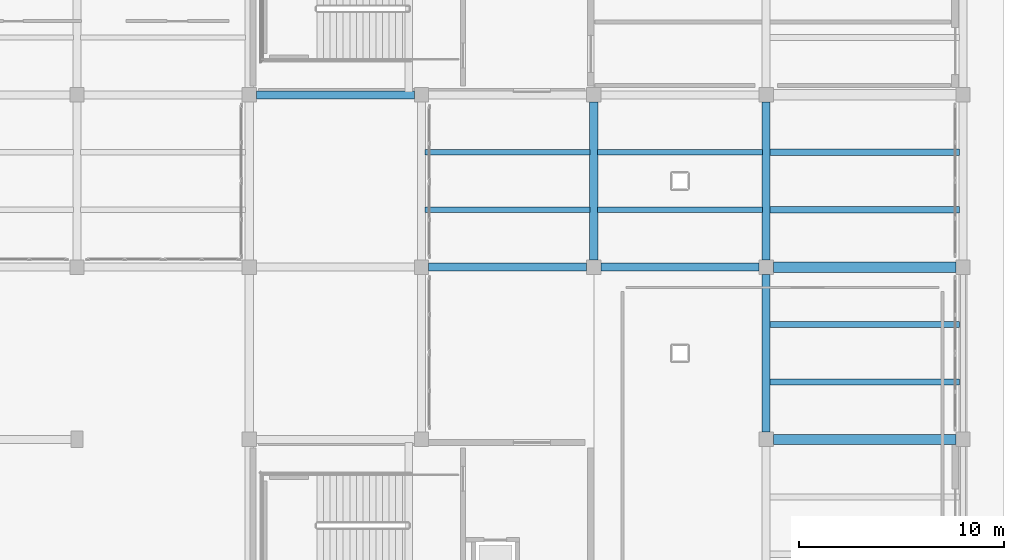
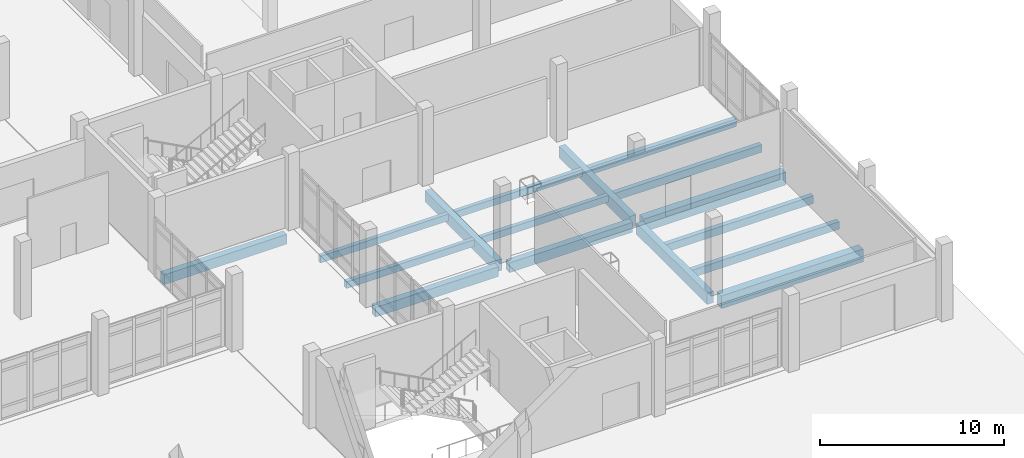
# One storey, part 17 of 64: 16 beams.
"""IFC4 building model written with IfcOpenShell, lengths in metres."""

from ifc_helpers import new_model, si_unit, derived_unit, direction, frame, origin, origin_2d, place, context, subcontext, project, spatial, rectangle, extrude, material, material_profile, profile_set, type_object, element, save


model = new_model("IFC4")

# Units and contexts
model_context = context("Model", 3, precision=1e-05, world=origin(), true_north=direction((0.0, 1.0)))
body_context = subcontext(model_context, "Body", "Model", "MODEL_VIEW")
ifc_project = project(units=[si_unit("LENGTHUNIT", "METRE"), si_unit("AREAUNIT", "SQUARE_METRE"), si_unit("VOLUMEUNIT", "CUBIC_METRE"), si_unit("PLANEANGLEUNIT", "RADIAN"), si_unit("MASSUNIT", "GRAM", prefix="KILO"), derived_unit("THERMALTRANSMITTANCEUNIT", [(si_unit("POWERUNIT", "WATT"), 1), (si_unit("LENGTHUNIT", "METRE"), -2), (si_unit("THERMODYNAMICTEMPERATUREUNIT", "KELVIN"), -1)])], contexts=[model_context])

# Site, building, storey
site_placement = place(None, origin())
site = spatial("IfcSite", under=ifc_project, at=site_placement, CompositionType="ELEMENT")
building_placement = place(site_placement, origin())
building = spatial("IfcBuilding", under=site, at=building_placement, Name="Elbkamm Science Centre", CompositionType="ELEMENT")
storey_placement = place(building_placement, origin())
storey = spatial("IfcBuildingStorey", under=building, at=storey_placement, Name="L00", CompositionType="ELEMENT", Elevation=0.0)

# Beams
ifc_material = material(Name="Concrete C40/50", Category="concrete")
ifc_material_profile_1 = material_profile(ifc_material, rectangle(XDim=0.39990234375, YDim=0.64990234375, at=origin_2d()), Name="RC 400x650")
ifc_profile_set_1 = profile_set([ifc_material_profile_1], Name="Concrete C40/50")
beam_type_1 = type_object("IfcBeamType", Name="BM-RC-400x650", PredefinedType="BEAM", material=ifc_profile_set_1)
beam_1_placement = place(storey_placement, frame((134.75, 42.0, -0.625), z_axis=(1.0, 0.0, 0.0), x_axis=(0.0, 1.0, 0.0)))
element("IfcBeam", 1, at=beam_1_placement, inside=storey, type_object=beam_type_1, Name="L00 Primary X-Girder 046", PredefinedType="BEAM", context=body_context, shape_type="SweptSolid", body=[
    extrude(rectangle(XDim=0.39990234375, YDim=0.64990234375, at=origin_2d()), origin(), (0.0, 0.0, 1.0), 7.699951171875),
])
beam_2_placement = place(storey_placement, frame((143.14990234375, 42.0, -0.625), z_axis=(1.0, 0.0, 0.0), x_axis=(0.0, 1.0, 0.0)))
element("IfcBeam", 2, at=beam_2_placement, inside=storey, type_object=beam_type_1, Name="L00 Primary X-Girder 047", PredefinedType="BEAM", context=body_context, shape_type="SweptSolid", body=[
    extrude(rectangle(XDim=0.39990234375, YDim=0.64990234375, at=origin_2d()), origin(), (0.0, 0.0, 1.0), 7.7001953125),
])
beam_3_placement = place(storey_placement, frame((126.35009765625, 50.39990234375, -0.625), z_axis=(1.0, 0.0, 0.0), x_axis=(0.0, 1.0, 0.0)))
element("IfcBeam", 3, at=beam_3_placement, inside=storey, type_object=beam_type_1, Name="L00 Primary X-Girder 054", PredefinedType="BEAM", context=body_context, shape_type="SweptSolid", body=[
    extrude(rectangle(XDim=0.39990234375, YDim=0.64990234375, at=origin_2d()), origin(), (0.0, 0.0, 1.0), 7.699951171875),
])
ifc_material_profile_2 = material_profile(ifc_material, rectangle(XDim=0.39990234375, YDim=0.75, at=origin_2d()), Name="RC 400x750")
ifc_profile_set_2 = profile_set([ifc_material_profile_2], Name="Concrete C40/50")
beam_type_2 = type_object("IfcBeamType", Name="BM-RC-400x750", PredefinedType="BEAM", material=ifc_profile_set_2)
for number, where, z_axis, x_axis, name in (
    (4, (142.800048828125, 42.35009765625, -0.675048828125), (0.0, 1.0, 0.0), (-1.0, 0.0, 0.0), "L00 Primary Y-Girder 062"),
    (5, (151.199951171875, 33.949951171875, -0.675048828125), (0.0, 1.0, 0.0), (-1.0, 0.0, 0.0), "L00 Primary Y-Girder 069"),
    (6, (151.199951171875, 42.35009765625, -0.675048828125), (0.0, 1.0, 0.0), (-1.0, 0.0, 0.0), "L00 Primary Y-Girder 070"),
):
    element("IfcBeam", number, at=place(storey_placement, frame(where, z_axis=z_axis, x_axis=x_axis)), inside=storey, type_object=beam_type_2, Name=name, PredefinedType="BEAM", context=body_context, shape_type="SweptSolid", body=[
        extrude(rectangle(XDim=0.39990234375, YDim=0.75, at=origin_2d()), origin(), (0.0, 0.0, 1.0), 7.699951171875),
    ])
ifc_material_profile_3 = material_profile(ifc_material, rectangle(XDim=0.5, YDim=0.85009765625, at=origin_2d()), Name="RC 500x850")
ifc_profile_set_3 = profile_set([ifc_material_profile_3], Name="Concrete C40/50")
beam_type_3 = type_object("IfcBeamType", Name="BM-RC-500x850", PredefinedType="BEAM", material=ifc_profile_set_3)
for number, where, z_axis, x_axis, name in (
    (7, (151.550048828125, 33.60009765625, -0.72509765625), (1.0, 0.0, 0.0), (0.0, 1.0, 0.0), "L00 Primary X-Girder 034"),
    (8, (151.550048828125, 42.0, -0.72509765625), (1.0, 0.0, 0.0), (0.0, 1.0, 0.0), "L00 Primary X-Girder 048"),
):
    element("IfcBeam", number, at=place(storey_placement, frame(where, z_axis=z_axis, x_axis=x_axis)), inside=storey, type_object=beam_type_3, Name=name, PredefinedType="BEAM", context=body_context, shape_type="SweptSolid", body=[
        extrude(rectangle(XDim=0.5, YDim=0.85009765625, at=origin_2d()), origin(), (0.0, 0.0, 1.0), 8.89990234375),
    ])
ifc_material_profile_4 = material_profile(ifc_material, rectangle(XDim=0.25, YDim=0.449951171875, at=origin_2d()), Name="RC 250x450")
ifc_profile_set_4 = profile_set([ifc_material_profile_4], Name="Concrete C40/50")
beam_type_4 = type_object("IfcBeamType", Name="JST-RC-250x450", PredefinedType="JOIST", material=ifc_profile_set_4)
for number, where, z_axis, x_axis, name in (
    (9, (134.580078125, 44.800048828125, -0.52490234375), (1.0, 0.0, 0.0), (0.0, 1.0, 0.0), "L00 Secondary Floor Joist 037"),
    (10, (134.580078125, 47.60009765625, -0.52490234375), (1.0, 0.0, 0.0), (0.0, 1.0, 0.0), "L00 Secondary Floor Joist 038"),
    (11, (142.97998046875, 44.800048828125, -0.52490234375), (1.0, 0.0, 0.0), (0.0, 1.0, 0.0), "L00 Secondary Floor Joist 049"),
    (12, (142.97998046875, 47.60009765625, -0.52490234375), (1.0, 0.0, 0.0), (0.0, 1.0, 0.0), "L00 Secondary Floor Joist 050"),
):
    element("IfcBeam", number, at=place(storey_placement, frame(where, z_axis=z_axis, x_axis=x_axis)), inside=storey, type_object=beam_type_4, Name=name, PredefinedType="JOIST", context=body_context, shape_type="SweptSolid", body=[
        extrude(rectangle(XDim=0.25, YDim=0.449951171875, at=origin_2d()), origin(), (0.0, 0.0, 1.0), 8.0400390625),
    ])
ifc_material_profile_5 = material_profile(ifc_material, rectangle(XDim=0.300048828125, YDim=0.5, at=origin_2d()), Name="RC 300x500")
ifc_profile_set_5 = profile_set([ifc_material_profile_5], Name="Concrete C40/50")
beam_type_5 = type_object("IfcBeamType", Name="JST-RC-300x500", PredefinedType="JOIST", material=ifc_profile_set_5)
for number, where, z_axis, x_axis, name in (
    (13, (151.3798828125, 36.39990234375, -0.550048828125), (1.0, 0.0, 0.0), (0.0, 1.0, 0.0), "L00 Secondary Floor Joist 063"),
    (14, (151.3798828125, 39.199951171875, -0.550048828125), (1.0, 0.0, 0.0), (0.0, 1.0, 0.0), "L00 Secondary Floor Joist 064"),
    (15, (151.3798828125, 44.800048828125, -0.550048828125), (1.0, 0.0, 0.0), (0.0, 1.0, 0.0), "L00 Secondary Floor Joist 065"),
    (16, (151.3798828125, 47.60009765625, -0.550048828125), (1.0, 0.0, 0.0), (0.0, 1.0, 0.0), "L00 Secondary Floor Joist 066"),
):
    element("IfcBeam", number, at=place(storey_placement, frame(where, z_axis=z_axis, x_axis=x_axis)), inside=storey, type_object=beam_type_5, Name=name, PredefinedType="JOIST", context=body_context, shape_type="SweptSolid", body=[
        extrude(rectangle(XDim=0.300048828125, YDim=0.5, at=origin_2d()), origin(), (0.0, 0.0, 1.0), 9.240234375),
    ])

save(model, "model.ifc")
